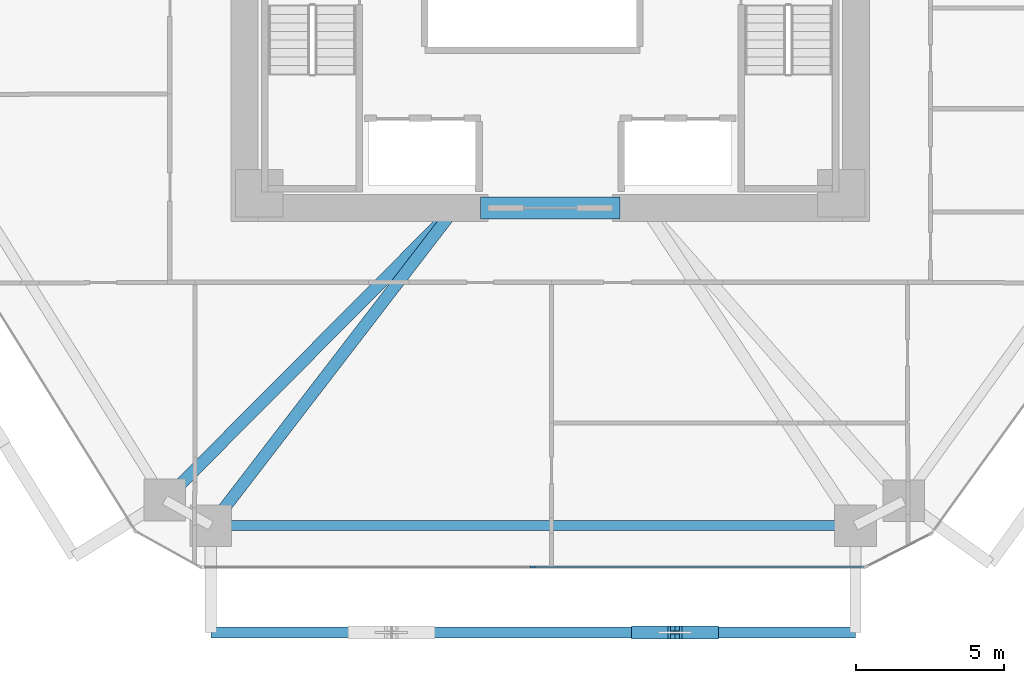
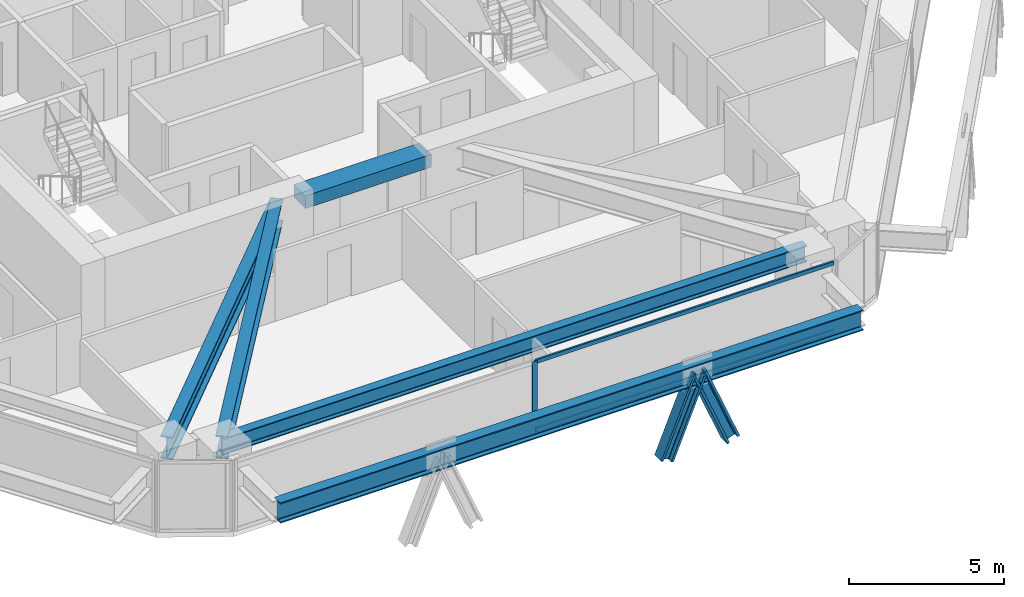
# One storey, part 3 of 18: 5 beams, 5 members, 1 element without a shape of its own.
"""IFC4 building model written with IfcOpenShell, lengths in metres."""

from ifc_helpers import new_model, si_unit, direction, frame, origin, origin_2d, place, context, subcontext, project, spatial, rectangle, i_section, extrude, source, transform, mapped, material, layer, layer_set, material_profile, profile_set, type_object, type_shapes, element, aggregate, save


model = new_model("IFC4")

# Units and contexts
model_context = context("Model", 3, precision=1e-05, world=origin(), true_north=direction((0.0, 1.0)))
body_context = subcontext(model_context, "Body", "Model", "MODEL_VIEW")
ifc_project = project(units=[si_unit("LENGTHUNIT", "METRE"), si_unit("AREAUNIT", "SQUARE_METRE"), si_unit("VOLUMEUNIT", "CUBIC_METRE"), si_unit("PLANEANGLEUNIT", "RADIAN"), si_unit("MASSUNIT", "GRAM", prefix="KILO")], contexts=[model_context])

# Site, building, storey
site_placement = place(None, origin())
site = spatial("IfcSite", under=ifc_project, at=site_placement, CompositionType="ELEMENT")
building_placement = place(site_placement, origin())
building = spatial("IfcBuilding", under=site, at=building_placement, Name="Durnholm Broadcast Tower", CompositionType="ELEMENT")
storey_placement = place(building_placement, frame((0.0, 0.0, 78.300048828125)))
storey = spatial("IfcBuildingStorey", under=building, at=storey_placement, Name="L20", CompositionType="ELEMENT", Elevation=78.300048828125)

# Beams
ifc_material_1 = material(Name="Steel ASTM A992 Grade 50", Category="steel")
ifc_material_profile_1 = material_profile(ifc_material_1, i_section(OverallWidth=0.3291015625, OverallDepth=0.635009765625, WebThickness=0.017822265625, FlangeThickness=0.031005859375, FilletRadius=0.02783203125, at=origin_2d()), Name="W24X162")
ifc_profile_set_1 = profile_set([ifc_material_profile_1], Name="Steel ASTM A992 Grade 50")
beam_type_1 = type_object("IfcBeamType", Name="STL-SP-W24X162", PredefinedType="SPANDREL", material=ifc_profile_set_1)
shared_shape_1 = source(origin(), body_context, "Body", "SweptSolid", [
    extrude(i_section(OverallWidth=0.3291015625, OverallDepth=0.635009765625, WebThickness=0.017822265625, FlangeThickness=0.031005859375, FilletRadius=0.02783203125, at=origin_2d()), origin(), (0.0, 0.0, 1.0), 21.7138671875),
])
type_shapes(beam_type_1, [shared_shape_1])
beam_1_placement = place(storey_placement, frame((10.28271484375, -19.0, 2.427490234375), z_axis=(-1.0, 0.0, 0.0), x_axis=(0.0, -1.0, 0.0)))
element("IfcBeam", 1, at=beam_1_placement, inside=storey, type_object=beam_type_1, Name="L20 perimeter spandrel girder 11", PredefinedType="SPANDREL", context=body_context, shape_type="MappedRepresentation", body=[
    mapped(shared_shape_1, transform((0.0, 0.0, 0.0), x_axis=(1.0, 0.0, 0.0), y_axis=(0.0, 1.0, 0.0), z_axis=(0.0, 0.0, 1.0), scale=1.0)),
])
ifc_material_profile_2 = material_profile(ifc_material_1, i_section(OverallWidth=0.404052734375, OverallDepth=0.885009765625, WebThickness=0.0244140625, FlangeThickness=0.0439453125, FilletRadius=0.03564453125, at=origin_2d()), Name="W33X291")
ifc_profile_set_2 = profile_set([ifc_material_profile_2], Name="Steel ASTM A992 Grade 50")
beam_type_2 = type_object("IfcBeamType", Name="STL-GR-W33X291", PredefinedType="USERDEFINED", material=ifc_profile_set_2)
shared_shape_2 = source(origin(), body_context, "Body", "SweptSolid", [
    extrude(i_section(OverallWidth=0.404052734375, OverallDepth=0.885009765625, WebThickness=0.0244140625, FlangeThickness=0.0439453125, FilletRadius=0.03564453125, at=origin_2d()), origin(), (0.0, 0.0, 1.0), 13.874267578125),
])
beam_2_placement = place(storey_placement, frame((-3.199951171875, -8.300048828125, 2.302490234375), z_axis=(-0.705097917174, -0.709109954237, 0.0), x_axis=(0.709109954237, -0.705097917174, 0.0)))
element("IfcBeam", 2, at=beam_2_placement, inside=storey, type_object=beam_type_2, Name="L20 radial primary floor girder 01", ObjectType="GIRDER", PredefinedType="USERDEFINED", context=body_context, shape_type="MappedRepresentation", body=[
    mapped(shared_shape_2, transform((0.0, 0.0, 0.0), x_axis=(1.0, 0.0, 0.0), y_axis=(0.0, 1.0, 0.0), z_axis=(0.0, 0.0, 1.0), scale=1.0)),
])
shared_shape_3 = source(origin(), body_context, "Body", "SweptSolid", [
    extrude(i_section(OverallWidth=0.404052734375, OverallDepth=0.885009765625, WebThickness=0.0244140625, FlangeThickness=0.0439453125, FilletRadius=0.03564453125, at=origin_2d()), origin(), (0.0, 0.0, 1.0), 13.499755859375),
])
type_shapes(beam_type_2, [shared_shape_2, shared_shape_3])
beam_3_placement = place(storey_placement, frame((-3.199951171875, -8.300048828125, 2.302490234375), z_axis=(-0.609732610412, -0.79260718127, 0.0), x_axis=(0.79260718127, -0.609732610412, 0.0)))
element("IfcBeam", 3, at=beam_3_placement, inside=storey, type_object=beam_type_2, Name="L20 radial primary floor girder 12", ObjectType="GIRDER", PredefinedType="USERDEFINED", context=body_context, shape_type="MappedRepresentation", body=[
    mapped(shared_shape_3, transform((0.0, 0.0, 0.0), x_axis=(1.0, 0.0, 0.0), y_axis=(0.0, 1.0, 0.0), z_axis=(0.0, 0.0, 1.0), scale=1.0)),
])
ifc_material_profile_3 = material_profile(ifc_material_1, i_section(OverallWidth=0.385009765625, OverallDepth=0.802978515625, WebThickness=0.023681640625, FlangeThickness=0.0419921875, FilletRadius=0.032958984375, at=origin_2d()), Name="W30X261")
ifc_profile_set_3 = profile_set([ifc_material_profile_3], Name="Steel ASTM A992 Grade 50")
beam_type_3 = type_object("IfcBeamType", Name="BM-EXO-TIE", PredefinedType="USERDEFINED", material=ifc_profile_set_3)
shared_shape_4 = source(origin(), body_context, "Body", "SweptSolid", [
    extrude(i_section(OverallWidth=0.385009765625, OverallDepth=0.802978515625, WebThickness=0.023681640625, FlangeThickness=0.0419921875, FilletRadius=0.032958984375, at=origin_2d()), origin(), (0.0, 0.0, 1.0), 21.7138671875),
])
type_shapes(beam_type_3, [shared_shape_4])
beam_4_placement = place(storey_placement, frame((-11.43115234375, -22.60009765625, 2.008544921875), z_axis=(1.0, 0.0, 0.0), x_axis=(0.0, 1.0, 0.0)))
element("IfcBeam", 4, at=beam_4_placement, inside=storey, type_object=beam_type_3, Name="L20 exoskeleton collector spandrel F1", PredefinedType="SPANDREL", context=body_context, shape_type="MappedRepresentation", body=[
    mapped(shared_shape_4, transform((0.0, 0.0, 0.0), x_axis=(1.0, 0.0, 0.0), y_axis=(0.0, 1.0, 0.0), z_axis=(0.0, 0.0, 1.0), scale=1.0)),
])
ifc_material_2 = material(Name="Concrete C70/85", Category="concrete")
ifc_material_profile_4 = material_profile(ifc_material_2, rectangle(XDim=0.75, YDim=0.5, at=origin_2d()), Name="RC750X500")
ifc_profile_set_4 = profile_set([ifc_material_profile_4], Name="Concrete C70/85")
beam_type_4 = type_object("IfcBeamType", Name="BM-CB-RC500", PredefinedType="LINTEL", material=ifc_profile_set_4)
shared_shape_5 = source(origin(), body_context, "Body", "SweptSolid", [
    extrude(rectangle(XDim=0.75, YDim=0.5, at=origin_2d()), origin(), (0.0, 0.0, 1.0), 4.7001953125),
])
type_shapes(beam_type_4, [shared_shape_5])
beam_5_placement = place(storey_placement, frame((-2.35009765625, -8.300048828125, 2.5048828125), z_axis=(1.0, 0.0, 0.0), x_axis=(0.0, 1.0, 0.0)))
element("IfcBeam", 5, at=beam_5_placement, inside=storey, type_object=beam_type_4, Name="L20 south core coupling lintel beam CB-S", PredefinedType="LINTEL", context=body_context, shape_type="MappedRepresentation", body=[
    mapped(shared_shape_5, transform((0.0, 0.0, 0.0), x_axis=(1.0, 0.0, 0.0), y_axis=(0.0, 1.0, 0.0), z_axis=(0.0, 0.0, 1.0), scale=1.0)),
])

# Members
ifc_material_3 = material(Name="Steel ASTM A913 Grade 65", Category="steel")
ifc_material_profile_5 = material_profile(ifc_material_3, i_section(OverallWidth=0.43212890625, OverallDepth=0.497802734375, WebThickness=0.0556640625, FlangeThickness=0.0888671875, FilletRadius=0.030517578125, at=origin_2d()), Name="W14X500")
ifc_profile_set_5 = profile_set([ifc_material_profile_5], Name="Steel ASTM A913 Grade 65")
member_type_1 = type_object("IfcMemberType", Name="STL-DG-W14X500", PredefinedType="BRACE", material=ifc_profile_set_5)
shared_shape_6 = source(origin(), body_context, "Body", "SweptSolid", [
    extrude(i_section(OverallWidth=0.43212890625, OverallDepth=0.497802734375, WebThickness=0.0556640625, FlangeThickness=0.0888671875, FilletRadius=0.030517578125, at=origin_2d()), origin(), (0.0, 0.0, 1.0), 3.243896484375),
])
type_shapes(member_type_1, [shared_shape_6])
for number, where, z_axis, x_axis, name in (
    (6, (2.968994140625, -22.60009765625, -0.991455078125), (0.380378804119, 0.0, 0.924830776616), (0.0, 1.0, 0.0), "L20 stand-off diagrid brace F1.D2.1"),
    (7, (5.436767578125, -22.60009765625, -0.991455078125), (-0.380378804119, 0.0, 0.924830776616), (0.0, -1.0, 0.0), "L20 stand-off diagrid brace F1.D2.2"),
):
    element("IfcMember", number, at=place(storey_placement, frame(where, z_axis=z_axis, x_axis=x_axis)), inside=storey, type_object=member_type_1, Name=name, PredefinedType="BRACE", context=body_context, shape_type="MappedRepresentation", body=[
        mapped(shared_shape_6, transform((0.0, 0.0, 0.0), x_axis=(1.0, 0.0, 0.0), y_axis=(0.0, 1.0, 0.0), z_axis=(0.0, 0.0, 1.0), scale=1.0)),
    ])

# Curtain wall, members
ifc_material_4 = material(Name="Aluminium and Solar Control IGU", Category="aluminium")
ifc_layer = layer(ifc_material_4, 0.18994140625)
ifc_layer_set = layer_set([ifc_layer], Name="Aluminium and Solar Control IGU")
curtain_wall_type = type_object("IfcCurtainWallType", Name="CW-SYS-3", PredefinedType="NOTDEFINED", material=ifc_layer_set)
curtain_wall_placement = place(storey_placement, origin())
curtain_wall = element("IfcCurtainWall", 8, at=curtain_wall_placement, inside=storey, type_object=curtain_wall_type, Name="L20 curtain wall CW-Z12-VIS CW-L20-F10", PredefinedType="NOTDEFINED")
ifc_material_5 = material(Name="Aluminium 6063-T6", Category="aluminium")
ifc_material_profile_6 = material_profile(ifc_material_5, rectangle(XDim=0.070068359375, YDim=0.14990234375, at=origin_2d()), Name="CWT70X150")
ifc_profile_set_6 = profile_set([ifc_material_profile_6], Name="Aluminium 6063-T6")
member_type_2 = type_object("IfcMemberType", Name="CW-SYS-3-TRN", PredefinedType="USERDEFINED", material=ifc_profile_set_6)
shared_shape_7 = source(origin(), body_context, "Body", "SweptSolid", [
    extrude(rectangle(XDim=0.070068359375, YDim=0.14990234375, at=origin_2d()), origin(), (0.0, 0.0, 1.0), 11.10205078125),
])
type_shapes(member_type_2, [shared_shape_7])
member_1_placement = place(storey_placement, frame((10.55029296875, -20.39990234375, 0.034912109375), z_axis=(-1.0, 0.0, 0.0), x_axis=(0.0, -1.0, 0.0)))
member_1 = element("IfcMember", 9, at=member_1_placement, type_object=member_type_2, Name="CW-Z12-VIS transom 1.1", ObjectType="TRANSOM", PredefinedType="USERDEFINED", context=body_context, shape_type="MappedRepresentation", body=[
    mapped(shared_shape_7, transform((0.0, 0.0, 0.0), x_axis=(1.0, 0.0, 0.0), y_axis=(0.0, 1.0, 0.0), z_axis=(0.0, 0.0, 1.0), scale=1.0)),
])
member_2_placement = place(storey_placement, frame((10.55029296875, -20.39990234375, 2.724853515625), z_axis=(-1.0, 0.0, 0.0), x_axis=(0.0, -1.0, 0.0)))
member_2 = element("IfcMember", 10, at=member_2_placement, type_object=member_type_2, Name="CW-Z12-VIS transom 1.2", ObjectType="TRANSOM", PredefinedType="USERDEFINED", context=body_context, shape_type="MappedRepresentation", body=[
    mapped(shared_shape_7, transform((0.0, 0.0, 0.0), x_axis=(1.0, 0.0, 0.0), y_axis=(0.0, 1.0, 0.0), z_axis=(0.0, 0.0, 1.0), scale=1.0)),
])
ifc_material_profile_7 = material_profile(ifc_material_5, rectangle(XDim=0.070068359375, YDim=0.18994140625, at=origin_2d()), Name="CWM70X190")
ifc_profile_set_7 = profile_set([ifc_material_profile_7], Name="Aluminium 6063-T6")
member_type_3 = type_object("IfcMemberType", Name="CW-SYS-3-MUL", PredefinedType="MULLION", material=ifc_profile_set_7)
shared_shape_8 = source(origin(), body_context, "Body", "SweptSolid", [
    extrude(rectangle(XDim=0.070068359375, YDim=0.18994140625, at=origin_2d()), origin(), (0.0, 0.0, 1.0), 2.760009765625),
])
type_shapes(member_type_3, [shared_shape_8])
member_3_placement = place(storey_placement, frame((-0.5869140625, -20.39990234375, 0.0), z_axis=(0.0, 0.0, 1.0), x_axis=(0.0, -1.0, 0.0)))
member_3 = element("IfcMember", 11, at=member_3_placement, type_object=member_type_3, Name="CW-Z12-VIS mullion 2", PredefinedType="MULLION", context=body_context, shape_type="MappedRepresentation", body=[
    mapped(shared_shape_8, transform((0.0, 0.0, 0.0), x_axis=(1.0, 0.0, 0.0), y_axis=(0.0, 1.0, 0.0), z_axis=(0.0, 0.0, 1.0), scale=1.0)),
])
aggregate(curtain_wall, [member_3, member_1, member_2])

save(model, "model.ifc")
